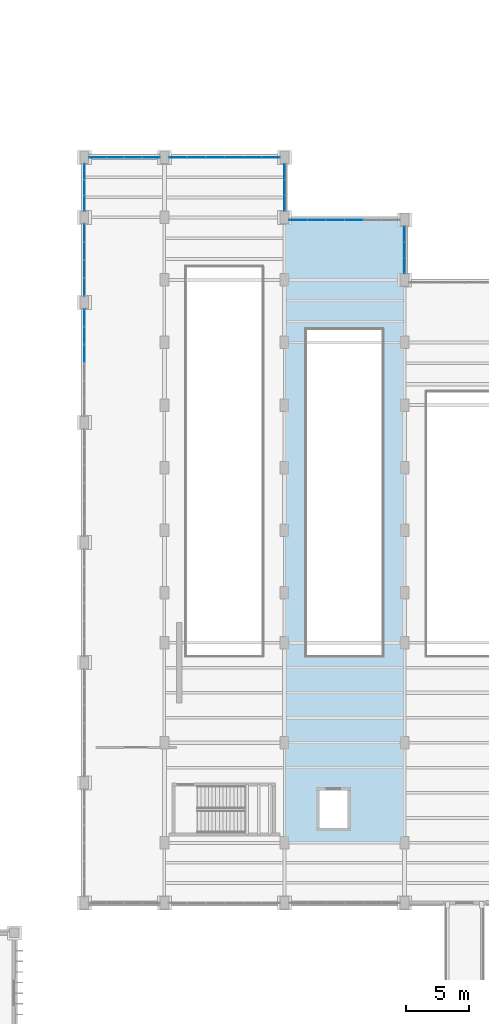
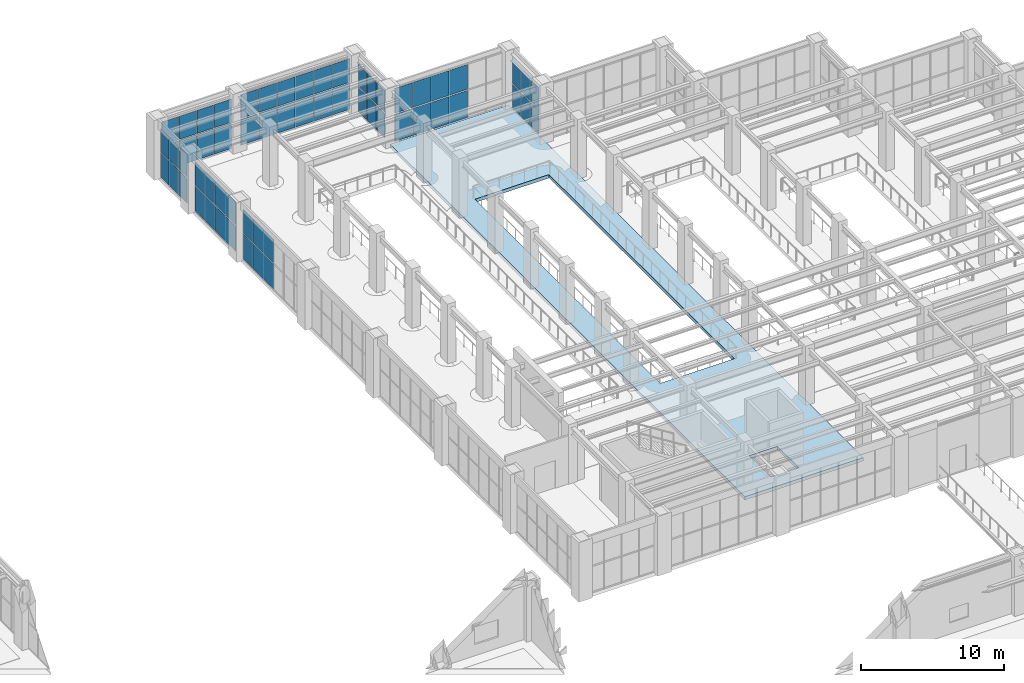
# One storey, part 134 of 174: 60 plates, 1 slab, 8 elements without a shape of their own.
"""IFC4 building model written with IfcOpenShell, lengths in metres."""

from ifc_helpers import new_model, si_unit, direction, frame, origin, origin_2d, place, context, subcontext, project, spatial, polyline, rectangle, outline, extrude, material, layer, layer_set, type_object, element, aggregate, save


model = new_model("IFC4")

# Units and contexts
model_context = context("Model", 3, precision=1e-05, world=origin(), true_north=direction((0.0, 1.0)))
body_context = subcontext(model_context, "Body", "Model", "MODEL_VIEW")
ifc_project = project(units=[si_unit("LENGTHUNIT", "METRE"), si_unit("AREAUNIT", "SQUARE_METRE"), si_unit("VOLUMEUNIT", "CUBIC_METRE"), si_unit("PLANEANGLEUNIT", "RADIAN"), si_unit("MASSUNIT", "GRAM", prefix="KILO")], contexts=[model_context])

# Site, building, storey
site_placement = place(None, origin())
site = spatial("IfcSite", under=ifc_project, at=site_placement, CompositionType="ELEMENT")
building_placement = place(site_placement, origin())
building = spatial("IfcBuilding", under=site, at=building_placement, Name="Mavantir Sound Aquarium", CompositionType="ELEMENT")
storey_placement = place(building_placement, frame((0.0, 0.0, 5.39990234375)))
storey = spatial("IfcBuildingStorey", under=building, at=storey_placement, Name="L01", CompositionType="ELEMENT", Elevation=5.39990234375)

# Curtain wall, plates
ifc_material_1 = material(Name="Anodised Marine Aluminium and Low-E Glass", Category="aluminium")
curtain_wall_type_1 = type_object("IfcCurtainWallType", Name="CW-T13", PredefinedType="USERDEFINED", material=ifc_material_1)
curtain_wall_1_placement = place(storey_placement, origin())
curtain_wall_1 = element("IfcCurtainWall", 1, at=curtain_wall_1_placement, inside=storey, type_object=curtain_wall_type_1, Name="L01 unitised curtain wall CW-13 85", ObjectType="UNITISED GLAZING", PredefinedType="USERDEFINED")
ifc_material_2 = material(Name="Solar-Control Laminated Low-E Glass", Category="glass")
ifc_layer_1 = layer(ifc_material_2, 0.028076171875, Name="Solar-Control Laminated Low-E Glass")
ifc_layer_set_1 = layer_set([ifc_layer_1], Name="Solar-Control Laminated Low-E Glass")
plate_type_1 = type_object("IfcPlateType", Name="CW-PNL-28", PredefinedType="CURTAIN_PANEL", material=ifc_layer_set_1)
plate_1_placement = place(storey_placement, frame((127.199951171875, 86.938720703125, 0.10302734375), z_axis=(0.0, 0.0, 1.0), x_axis=(0.0, 1.0, 0.0)))
plate_1 = element("IfcPlate", 2, at=plate_1_placement, type_object=plate_type_1, Name="CW-L01-085 glazed curtain panel 1.1", PredefinedType="CURTAIN_PANEL", context=body_context, shape_type="SweptSolid", body=[
    extrude(rectangle(XDim=1.21337890625, YDim=0.028076171875, at=origin_2d()), origin(), (0.0, 0.0, 1.0), 1.999267578125),
])
plate_2_placement = place(storey_placement, frame((127.199951171875, 86.938720703125, 2.1982421875), z_axis=(0.0, 0.0, 1.0), x_axis=(0.0, 1.0, 0.0)))
plate_2 = element("IfcPlate", 3, at=plate_2_placement, type_object=plate_type_1, Name="CW-L01-085 glazed curtain panel 1.2", PredefinedType="CURTAIN_PANEL", context=body_context, shape_type="SweptSolid", body=[
    extrude(rectangle(XDim=1.21337890625, YDim=0.028076171875, at=origin_2d()), origin(), (0.0, 0.0, 1.0), 1.833740234375),
])
plate_3_placement = place(storey_placement, frame((127.199951171875, 88.199951171875, 0.10302734375), z_axis=(0.0, 0.0, 1.0), x_axis=(0.0, 1.0, 0.0)))
plate_3 = element("IfcPlate", 4, at=plate_3_placement, type_object=plate_type_1, Name="CW-L01-085 glazed curtain panel 2.1", PredefinedType="CURTAIN_PANEL", context=body_context, shape_type="SweptSolid", body=[
    extrude(rectangle(XDim=1.21337890625, YDim=0.028076171875, at=origin_2d()), origin(), (0.0, 0.0, 1.0), 1.999267578125),
])
plate_4_placement = place(storey_placement, frame((127.199951171875, 88.199951171875, 2.1982421875), z_axis=(0.0, 0.0, 1.0), x_axis=(0.0, 1.0, 0.0)))
plate_4 = element("IfcPlate", 5, at=plate_4_placement, type_object=plate_type_1, Name="CW-L01-085 glazed curtain panel 2.2", PredefinedType="CURTAIN_PANEL", context=body_context, shape_type="SweptSolid", body=[
    extrude(rectangle(XDim=1.21337890625, YDim=0.028076171875, at=origin_2d()), origin(), (0.0, 0.0, 1.0), 1.833740234375),
])
plate_5_placement = place(storey_placement, frame((127.199951171875, 89.461181640625, 0.10302734375), z_axis=(0.0, 0.0, 1.0), x_axis=(0.0, 1.0, 0.0)))
plate_5 = element("IfcPlate", 6, at=plate_5_placement, type_object=plate_type_1, Name="CW-L01-085 glazed curtain panel 3.1", PredefinedType="CURTAIN_PANEL", context=body_context, shape_type="SweptSolid", body=[
    extrude(rectangle(XDim=1.21337890625, YDim=0.028076171875, at=origin_2d()), origin(), (0.0, 0.0, 1.0), 1.999267578125),
])
plate_6_placement = place(storey_placement, frame((127.199951171875, 89.461181640625, 2.1982421875), z_axis=(0.0, 0.0, 1.0), x_axis=(0.0, 1.0, 0.0)))
plate_6 = element("IfcPlate", 7, at=plate_6_placement, type_object=plate_type_1, Name="CW-L01-085 glazed curtain panel 3.2", PredefinedType="CURTAIN_PANEL", context=body_context, shape_type="SweptSolid", body=[
    extrude(rectangle(XDim=1.21337890625, YDim=0.028076171875, at=origin_2d()), origin(), (0.0, 0.0, 1.0), 1.833740234375),
])
aggregate(curtain_wall_1, [plate_1, plate_2, plate_3, plate_4, plate_5, plate_6])

curtain_wall_type_2 = type_object("IfcCurtainWallType", Name="CW-T15", PredefinedType="USERDEFINED", material=ifc_material_1)
curtain_wall_2_placement = place(storey_placement, origin())
curtain_wall_2 = element("IfcCurtainWall", 8, at=curtain_wall_2_placement, inside=storey, type_object=curtain_wall_type_2, Name="L01 unitised curtain wall CW-15 87", ObjectType="UNITISED GLAZING", PredefinedType="USERDEFINED")
plate_7_placement = place(storey_placement, frame((117.60009765625, 91.938720703125, 0.10302734375), z_axis=(0.0, 0.0, 1.0), x_axis=(0.0, 1.0, 0.0)))
plate_7 = element("IfcPlate", 9, at=plate_7_placement, type_object=plate_type_1, Name="CW-L01-087 glazed curtain panel 1.1", PredefinedType="CURTAIN_PANEL", context=body_context, shape_type="SweptSolid", body=[
    extrude(rectangle(XDim=1.21337890625, YDim=0.028076171875, at=origin_2d()), origin(), (0.0, 0.0, 1.0), 2.072998046875),
])
plate_8_placement = place(storey_placement, frame((117.60009765625, 91.938720703125, 2.27197265625), z_axis=(0.0, 0.0, 1.0), x_axis=(0.0, 1.0, 0.0)))
plate_8 = element("IfcPlate", 10, at=plate_8_placement, type_object=plate_type_1, Name="CW-L01-087 glazed curtain panel 1.2", PredefinedType="CURTAIN_PANEL", context=body_context, shape_type="SweptSolid", body=[
    extrude(rectangle(XDim=1.21337890625, YDim=0.028076171875, at=origin_2d()), origin(), (0.0, 0.0, 1.0), 1.902099609375),
])
plate_9_placement = place(storey_placement, frame((117.60009765625, 93.199951171875, 0.10302734375), z_axis=(0.0, 0.0, 1.0), x_axis=(0.0, 1.0, 0.0)))
plate_9 = element("IfcPlate", 11, at=plate_9_placement, type_object=plate_type_1, Name="CW-L01-087 glazed curtain panel 2.1", PredefinedType="CURTAIN_PANEL", context=body_context, shape_type="SweptSolid", body=[
    extrude(rectangle(XDim=1.21337890625, YDim=0.028076171875, at=origin_2d()), origin(), (0.0, 0.0, 1.0), 2.072998046875),
])
plate_10_placement = place(storey_placement, frame((117.60009765625, 93.199951171875, 2.27197265625), z_axis=(0.0, 0.0, 1.0), x_axis=(0.0, 1.0, 0.0)))
plate_10 = element("IfcPlate", 12, at=plate_10_placement, type_object=plate_type_1, Name="CW-L01-087 glazed curtain panel 2.2", PredefinedType="CURTAIN_PANEL", context=body_context, shape_type="SweptSolid", body=[
    extrude(rectangle(XDim=1.21337890625, YDim=0.028076171875, at=origin_2d()), origin(), (0.0, 0.0, 1.0), 1.902099609375),
])
plate_11_placement = place(storey_placement, frame((117.60009765625, 94.461181640625, 0.10302734375), z_axis=(0.0, 0.0, 1.0), x_axis=(0.0, 1.0, 0.0)))
plate_11 = element("IfcPlate", 13, at=plate_11_placement, type_object=plate_type_1, Name="CW-L01-087 glazed curtain panel 3.1", PredefinedType="CURTAIN_PANEL", context=body_context, shape_type="SweptSolid", body=[
    extrude(rectangle(XDim=1.21337890625, YDim=0.028076171875, at=origin_2d()), origin(), (0.0, 0.0, 1.0), 2.072998046875),
])
plate_12_placement = place(storey_placement, frame((117.60009765625, 94.461181640625, 2.27197265625), z_axis=(0.0, 0.0, 1.0), x_axis=(0.0, 1.0, 0.0)))
plate_12 = element("IfcPlate", 14, at=plate_12_placement, type_object=plate_type_1, Name="CW-L01-087 glazed curtain panel 3.2", PredefinedType="CURTAIN_PANEL", context=body_context, shape_type="SweptSolid", body=[
    extrude(rectangle(XDim=1.21337890625, YDim=0.028076171875, at=origin_2d()), origin(), (0.0, 0.0, 1.0), 1.902099609375),
])
aggregate(curtain_wall_2, [plate_7, plate_8, plate_9, plate_10, plate_11, plate_12])

curtain_wall_type_3 = type_object("IfcCurtainWallType", Name="CW-T17", PredefinedType="USERDEFINED", material=ifc_material_1)
curtain_wall_3_placement = place(storey_placement, origin())
curtain_wall_3 = element("IfcCurtainWall", 15, at=curtain_wall_3_placement, inside=storey, type_object=curtain_wall_type_3, Name="L01 unitised curtain wall CW-17 89", ObjectType="UNITISED GLAZING", PredefinedType="USERDEFINED")
plate_13_placement = place(storey_placement, frame((106.931396484375, 95.60009765625, 0.10302734375), z_axis=(0.0, 0.0, 1.0), x_axis=(-1.0, 0.0, 0.0)))
plate_13 = element("IfcPlate", 16, at=plate_13_placement, type_object=plate_type_1, Name="CW-L01-089 glazed curtain panel 1.1", PredefinedType="CURTAIN_PANEL", context=body_context, shape_type="SweptSolid", body=[
    extrude(rectangle(XDim=1.373046875, YDim=0.028076171875, at=origin_2d()), origin(), (0.0, 0.0, 1.0), 2.15673828125),
])
plate_14_placement = place(storey_placement, frame((106.931396484375, 95.60009765625, 2.35595703125), z_axis=(0.0, 0.0, 1.0), x_axis=(-1.0, 0.0, 0.0)))
plate_14 = element("IfcPlate", 17, at=plate_14_placement, type_object=plate_type_1, Name="CW-L01-089 glazed curtain panel 1.2", PredefinedType="CURTAIN_PANEL", context=body_context, shape_type="SweptSolid", body=[
    extrude(rectangle(XDim=1.373046875, YDim=0.028076171875, at=origin_2d()), origin(), (0.0, 0.0, 1.0), 1.979248046875),
])
plate_15_placement = place(storey_placement, frame((105.510498046875, 95.60009765625, 0.10302734375), z_axis=(0.0, 0.0, 1.0), x_axis=(-1.0, 0.0, 0.0)))
plate_15 = element("IfcPlate", 18, at=plate_15_placement, type_object=plate_type_1, Name="CW-L01-089 glazed curtain panel 2.1", PredefinedType="CURTAIN_PANEL", context=body_context, shape_type="SweptSolid", body=[
    extrude(rectangle(XDim=1.373046875, YDim=0.028076171875, at=origin_2d()), origin(), (0.0, 0.0, 1.0), 2.15673828125),
])
plate_16_placement = place(storey_placement, frame((105.510498046875, 95.60009765625, 2.35595703125), z_axis=(0.0, 0.0, 1.0), x_axis=(-1.0, 0.0, 0.0)))
plate_16 = element("IfcPlate", 19, at=plate_16_placement, type_object=plate_type_1, Name="CW-L01-089 glazed curtain panel 2.2", PredefinedType="CURTAIN_PANEL", context=body_context, shape_type="SweptSolid", body=[
    extrude(rectangle(XDim=1.373046875, YDim=0.028076171875, at=origin_2d()), origin(), (0.0, 0.0, 1.0), 1.979248046875),
])
plate_17_placement = place(storey_placement, frame((104.089599609375, 95.60009765625, 0.10302734375), z_axis=(0.0, 0.0, 1.0), x_axis=(-1.0, 0.0, 0.0)))
plate_17 = element("IfcPlate", 20, at=plate_17_placement, type_object=plate_type_1, Name="CW-L01-089 glazed curtain panel 3.1", PredefinedType="CURTAIN_PANEL", context=body_context, shape_type="SweptSolid", body=[
    extrude(rectangle(XDim=1.373046875, YDim=0.028076171875, at=origin_2d()), origin(), (0.0, 0.0, 1.0), 2.15673828125),
])
plate_18_placement = place(storey_placement, frame((104.089599609375, 95.60009765625, 2.35595703125), z_axis=(0.0, 0.0, 1.0), x_axis=(-1.0, 0.0, 0.0)))
plate_18 = element("IfcPlate", 21, at=plate_18_placement, type_object=plate_type_1, Name="CW-L01-089 glazed curtain panel 3.2", PredefinedType="CURTAIN_PANEL", context=body_context, shape_type="SweptSolid", body=[
    extrude(rectangle(XDim=1.373046875, YDim=0.028076171875, at=origin_2d()), origin(), (0.0, 0.0, 1.0), 1.979248046875),
])
plate_19_placement = place(storey_placement, frame((102.66845703125, 95.60009765625, 0.10302734375), z_axis=(0.0, 0.0, 1.0), x_axis=(-1.0, 0.0, 0.0)))
plate_19 = element("IfcPlate", 22, at=plate_19_placement, type_object=plate_type_1, Name="CW-L01-089 glazed curtain panel 4.1", PredefinedType="CURTAIN_PANEL", context=body_context, shape_type="SweptSolid", body=[
    extrude(rectangle(XDim=1.373046875, YDim=0.028076171875, at=origin_2d()), origin(), (0.0, 0.0, 1.0), 2.15673828125),
])
plate_20_placement = place(storey_placement, frame((102.66845703125, 95.60009765625, 2.35595703125), z_axis=(0.0, 0.0, 1.0), x_axis=(-1.0, 0.0, 0.0)))
plate_20 = element("IfcPlate", 23, at=plate_20_placement, type_object=plate_type_1, Name="CW-L01-089 glazed curtain panel 4.2", PredefinedType="CURTAIN_PANEL", context=body_context, shape_type="SweptSolid", body=[
    extrude(rectangle(XDim=1.373046875, YDim=0.028076171875, at=origin_2d()), origin(), (0.0, 0.0, 1.0), 1.979248046875),
])
aggregate(curtain_wall_3, [plate_13, plate_14, plate_15, plate_16, plate_17, plate_18, plate_19, plate_20])

curtain_wall_type_4 = type_object("IfcCurtainWallType", Name="CW-T19", PredefinedType="USERDEFINED", material=ifc_material_1)
curtain_wall_4_placement = place(storey_placement, origin())
curtain_wall_4 = element("IfcCurtainWall", 24, at=curtain_wall_4_placement, inside=storey, type_object=curtain_wall_type_4, Name="L01 unitised curtain wall CW-19 91", ObjectType="UNITISED GLAZING", PredefinedType="USERDEFINED")
plate_21_placement = place(storey_placement, frame((101.60009765625, 89.569091796875, 0.10302734375), z_axis=(0.0, 0.0, 1.0), x_axis=(0.0, -1.0, 0.0)))
plate_21 = element("IfcPlate", 25, at=plate_21_placement, type_object=plate_type_1, Name="CW-L01-091 glazed curtain panel 1.1", PredefinedType="CURTAIN_PANEL", context=body_context, shape_type="SweptSolid", body=[
    extrude(rectangle(XDim=1.39794921875, YDim=0.028076171875, at=origin_2d()), origin(), (0.0, 0.0, 1.0), 2.160888671875),
])
plate_22_placement = place(storey_placement, frame((101.60009765625, 89.569091796875, 2.35986328125), z_axis=(0.0, 0.0, 1.0), x_axis=(0.0, -1.0, 0.0)))
plate_22 = element("IfcPlate", 26, at=plate_22_placement, type_object=plate_type_1, Name="CW-L01-091 glazed curtain panel 1.2", PredefinedType="CURTAIN_PANEL", context=body_context, shape_type="SweptSolid", body=[
    extrude(rectangle(XDim=1.39794921875, YDim=0.028076171875, at=origin_2d()), origin(), (0.0, 0.0, 1.0), 1.983154296875),
])
plate_23_placement = place(storey_placement, frame((101.60009765625, 88.123046875, 0.10302734375), z_axis=(0.0, 0.0, 1.0), x_axis=(0.0, -1.0, 0.0)))
plate_23 = element("IfcPlate", 27, at=plate_23_placement, type_object=plate_type_1, Name="CW-L01-091 glazed curtain panel 2.1", PredefinedType="CURTAIN_PANEL", context=body_context, shape_type="SweptSolid", body=[
    extrude(rectangle(XDim=1.39794921875, YDim=0.028076171875, at=origin_2d()), origin(), (0.0, 0.0, 1.0), 2.160888671875),
])
plate_24_placement = place(storey_placement, frame((101.60009765625, 88.123046875, 2.35986328125), z_axis=(0.0, 0.0, 1.0), x_axis=(0.0, -1.0, 0.0)))
plate_24 = element("IfcPlate", 28, at=plate_24_placement, type_object=plate_type_1, Name="CW-L01-091 glazed curtain panel 2.2", PredefinedType="CURTAIN_PANEL", context=body_context, shape_type="SweptSolid", body=[
    extrude(rectangle(XDim=1.39794921875, YDim=0.028076171875, at=origin_2d()), origin(), (0.0, 0.0, 1.0), 1.983154296875),
])
plate_25_placement = place(storey_placement, frame((101.60009765625, 86.677001953125, 0.10302734375), z_axis=(0.0, 0.0, 1.0), x_axis=(0.0, -1.0, 0.0)))
plate_25 = element("IfcPlate", 29, at=plate_25_placement, type_object=plate_type_1, Name="CW-L01-091 glazed curtain panel 3.1", PredefinedType="CURTAIN_PANEL", context=body_context, shape_type="SweptSolid", body=[
    extrude(rectangle(XDim=1.39794921875, YDim=0.028076171875, at=origin_2d()), origin(), (0.0, 0.0, 1.0), 2.160888671875),
])
plate_26_placement = place(storey_placement, frame((101.60009765625, 86.677001953125, 2.35986328125), z_axis=(0.0, 0.0, 1.0), x_axis=(0.0, -1.0, 0.0)))
plate_26 = element("IfcPlate", 30, at=plate_26_placement, type_object=plate_type_1, Name="CW-L01-091 glazed curtain panel 3.2", PredefinedType="CURTAIN_PANEL", context=body_context, shape_type="SweptSolid", body=[
    extrude(rectangle(XDim=1.39794921875, YDim=0.028076171875, at=origin_2d()), origin(), (0.0, 0.0, 1.0), 1.983154296875),
])
plate_27_placement = place(storey_placement, frame((101.60009765625, 85.23095703125, 0.10302734375), z_axis=(0.0, 0.0, 1.0), x_axis=(0.0, -1.0, 0.0)))
plate_27 = element("IfcPlate", 31, at=plate_27_placement, type_object=plate_type_1, Name="CW-L01-091 glazed curtain panel 4.1", PredefinedType="CURTAIN_PANEL", context=body_context, shape_type="SweptSolid", body=[
    extrude(rectangle(XDim=1.39794921875, YDim=0.028076171875, at=origin_2d()), origin(), (0.0, 0.0, 1.0), 2.160888671875),
])
plate_28_placement = place(storey_placement, frame((101.60009765625, 85.23095703125, 2.35986328125), z_axis=(0.0, 0.0, 1.0), x_axis=(0.0, -1.0, 0.0)))
plate_28 = element("IfcPlate", 32, at=plate_28_placement, type_object=plate_type_1, Name="CW-L01-091 glazed curtain panel 4.2", PredefinedType="CURTAIN_PANEL", context=body_context, shape_type="SweptSolid", body=[
    extrude(rectangle(XDim=1.39794921875, YDim=0.028076171875, at=origin_2d()), origin(), (0.0, 0.0, 1.0), 1.983154296875),
])
aggregate(curtain_wall_4, [plate_21, plate_22, plate_23, plate_24, plate_25, plate_26, plate_27, plate_28])

curtain_wall_type_5 = type_object("IfcCurtainWallType", Name="CW-T14", PredefinedType="USERDEFINED", material=ifc_material_1)
curtain_wall_5_placement = place(storey_placement, origin())
curtain_wall_5 = element("IfcCurtainWall", 33, at=curtain_wall_5_placement, inside=storey, type_object=curtain_wall_type_5, Name="L01 unitised curtain wall CW-14 86", ObjectType="UNITISED GLAZING", PredefinedType="USERDEFINED")
ifc_layer_2 = layer(ifc_material_2, 0.031982421875, Name="Solar-Control Laminated Low-E Glass")
ifc_layer_set_2 = layer_set([ifc_layer_2], Name="Solar-Control Laminated Low-E Glass")
plate_type_2 = type_object("IfcPlateType", Name="CW-PNL-32", PredefinedType="CURTAIN_PANEL", material=ifc_layer_set_2)
plate_29_placement = place(storey_placement, frame((123.140380859375, 90.60009765625, 0.10302734375), z_axis=(0.0, 0.0, 1.0), x_axis=(-1.0, 0.0, 0.0)))
plate_29 = element("IfcPlate", 34, at=plate_29_placement, type_object=plate_type_2, Name="CW-L01-086 glazed curtain panel 3.1", PredefinedType="CURTAIN_PANEL", context=body_context, shape_type="SweptSolid", body=[
    extrude(rectangle(XDim=1.4326171875, YDim=0.031982421875, at=origin_2d()), origin(), (0.0, 0.0, 1.0), 2.32421875),
])
plate_30_placement = place(storey_placement, frame((123.140380859375, 90.60009765625, 2.523193359375), z_axis=(0.0, 0.0, 1.0), x_axis=(-1.0, 0.0, 0.0)))
plate_30 = element("IfcPlate", 35, at=plate_30_placement, type_object=plate_type_2, Name="CW-L01-086 glazed curtain panel 3.2", PredefinedType="CURTAIN_PANEL", context=body_context, shape_type="SweptSolid", body=[
    extrude(rectangle(XDim=1.4326171875, YDim=0.031982421875, at=origin_2d()), origin(), (0.0, 0.0, 1.0), 2.1337890625),
])
plate_31_placement = place(storey_placement, frame((121.65966796875, 90.60009765625, 0.10302734375), z_axis=(0.0, 0.0, 1.0), x_axis=(-1.0, 0.0, 0.0)))
plate_31 = element("IfcPlate", 36, at=plate_31_placement, type_object=plate_type_2, Name="CW-L01-086 glazed curtain panel 4.1", PredefinedType="CURTAIN_PANEL", context=body_context, shape_type="SweptSolid", body=[
    extrude(rectangle(XDim=1.4326171875, YDim=0.031982421875, at=origin_2d()), origin(), (0.0, 0.0, 1.0), 2.32421875),
])
plate_32_placement = place(storey_placement, frame((121.65966796875, 90.60009765625, 2.523193359375), z_axis=(0.0, 0.0, 1.0), x_axis=(-1.0, 0.0, 0.0)))
plate_32 = element("IfcPlate", 37, at=plate_32_placement, type_object=plate_type_2, Name="CW-L01-086 glazed curtain panel 4.2", PredefinedType="CURTAIN_PANEL", context=body_context, shape_type="SweptSolid", body=[
    extrude(rectangle(XDim=1.4326171875, YDim=0.031982421875, at=origin_2d()), origin(), (0.0, 0.0, 1.0), 2.1337890625),
])
plate_33_placement = place(storey_placement, frame((120.178955078125, 90.60009765625, 0.10302734375), z_axis=(0.0, 0.0, 1.0), x_axis=(-1.0, 0.0, 0.0)))
plate_33 = element("IfcPlate", 38, at=plate_33_placement, type_object=plate_type_2, Name="CW-L01-086 glazed curtain panel 5.1", PredefinedType="CURTAIN_PANEL", context=body_context, shape_type="SweptSolid", body=[
    extrude(rectangle(XDim=1.4326171875, YDim=0.031982421875, at=origin_2d()), origin(), (0.0, 0.0, 1.0), 2.32421875),
])
plate_34_placement = place(storey_placement, frame((120.178955078125, 90.60009765625, 2.523193359375), z_axis=(0.0, 0.0, 1.0), x_axis=(-1.0, 0.0, 0.0)))
plate_34 = element("IfcPlate", 39, at=plate_34_placement, type_object=plate_type_2, Name="CW-L01-086 glazed curtain panel 5.2", PredefinedType="CURTAIN_PANEL", context=body_context, shape_type="SweptSolid", body=[
    extrude(rectangle(XDim=1.4326171875, YDim=0.031982421875, at=origin_2d()), origin(), (0.0, 0.0, 1.0), 2.1337890625),
])
plate_35_placement = place(storey_placement, frame((118.6982421875, 90.60009765625, 0.10302734375), z_axis=(0.0, 0.0, 1.0), x_axis=(-1.0, 0.0, 0.0)))
plate_35 = element("IfcPlate", 40, at=plate_35_placement, type_object=plate_type_2, Name="CW-L01-086 glazed curtain panel 6.1", PredefinedType="CURTAIN_PANEL", context=body_context, shape_type="SweptSolid", body=[
    extrude(rectangle(XDim=1.4326171875, YDim=0.031982421875, at=origin_2d()), origin(), (0.0, 0.0, 1.0), 2.32421875),
])
plate_36_placement = place(storey_placement, frame((118.6982421875, 90.60009765625, 2.523193359375), z_axis=(0.0, 0.0, 1.0), x_axis=(-1.0, 0.0, 0.0)))
plate_36 = element("IfcPlate", 41, at=plate_36_placement, type_object=plate_type_2, Name="CW-L01-086 glazed curtain panel 6.2", PredefinedType="CURTAIN_PANEL", context=body_context, shape_type="SweptSolid", body=[
    extrude(rectangle(XDim=1.4326171875, YDim=0.031982421875, at=origin_2d()), origin(), (0.0, 0.0, 1.0), 2.1337890625),
])
aggregate(curtain_wall_5, [plate_29, plate_30, plate_31, plate_32, plate_33, plate_34, plate_35, plate_36])

curtain_wall_type_6 = type_object("IfcCurtainWallType", Name="CW-T16", PredefinedType="USERDEFINED", material=ifc_material_1)
curtain_wall_6_placement = place(storey_placement, origin())
curtain_wall_6 = element("IfcCurtainWall", 42, at=curtain_wall_6_placement, inside=storey, type_object=curtain_wall_type_6, Name="L01 unitised curtain wall CW-16 88", ObjectType="UNITISED GLAZING", PredefinedType="USERDEFINED")
plate_37_placement = place(storey_placement, frame((116.501708984375, 95.60009765625, 0.10302734375), z_axis=(0.0, 0.0, 1.0), x_axis=(-1.0, 0.0, 0.0)))
plate_37 = element("IfcPlate", 43, at=plate_37_placement, type_object=plate_type_2, Name="CW-L01-088 glazed curtain panel 1.1", PredefinedType="CURTAIN_PANEL", context=body_context, shape_type="SweptSolid", body=[
    extrude(rectangle(XDim=1.4326171875, YDim=0.031982421875, at=origin_2d()), origin(), (0.0, 0.0, 1.0), 2.21142578125),
])
plate_38_placement = place(storey_placement, frame((116.501708984375, 95.60009765625, 2.41064453125), z_axis=(0.0, 0.0, 1.0), x_axis=(-1.0, 0.0, 0.0)))
plate_38 = element("IfcPlate", 44, at=plate_38_placement, type_object=plate_type_2, Name="CW-L01-088 glazed curtain panel 1.2", PredefinedType="CURTAIN_PANEL", context=body_context, shape_type="SweptSolid", body=[
    extrude(rectangle(XDim=1.4326171875, YDim=0.031982421875, at=origin_2d()), origin(), (0.0, 0.0, 1.0), 2.029541015625),
])
plate_39_placement = place(storey_placement, frame((115.02099609375, 95.60009765625, 0.10302734375), z_axis=(0.0, 0.0, 1.0), x_axis=(-1.0, 0.0, 0.0)))
plate_39 = element("IfcPlate", 45, at=plate_39_placement, type_object=plate_type_2, Name="CW-L01-088 glazed curtain panel 2.1", PredefinedType="CURTAIN_PANEL", context=body_context, shape_type="SweptSolid", body=[
    extrude(rectangle(XDim=1.4326171875, YDim=0.031982421875, at=origin_2d()), origin(), (0.0, 0.0, 1.0), 2.21142578125),
])
plate_40_placement = place(storey_placement, frame((115.02099609375, 95.60009765625, 2.41064453125), z_axis=(0.0, 0.0, 1.0), x_axis=(-1.0, 0.0, 0.0)))
plate_40 = element("IfcPlate", 46, at=plate_40_placement, type_object=plate_type_2, Name="CW-L01-088 glazed curtain panel 2.2", PredefinedType="CURTAIN_PANEL", context=body_context, shape_type="SweptSolid", body=[
    extrude(rectangle(XDim=1.4326171875, YDim=0.031982421875, at=origin_2d()), origin(), (0.0, 0.0, 1.0), 2.029541015625),
])
plate_41_placement = place(storey_placement, frame((113.540283203125, 95.60009765625, 0.10302734375), z_axis=(0.0, 0.0, 1.0), x_axis=(-1.0, 0.0, 0.0)))
plate_41 = element("IfcPlate", 47, at=plate_41_placement, type_object=plate_type_2, Name="CW-L01-088 glazed curtain panel 3.1", PredefinedType="CURTAIN_PANEL", context=body_context, shape_type="SweptSolid", body=[
    extrude(rectangle(XDim=1.4326171875, YDim=0.031982421875, at=origin_2d()), origin(), (0.0, 0.0, 1.0), 2.21142578125),
])
plate_42_placement = place(storey_placement, frame((113.540283203125, 95.60009765625, 2.41064453125), z_axis=(0.0, 0.0, 1.0), x_axis=(-1.0, 0.0, 0.0)))
plate_42 = element("IfcPlate", 48, at=plate_42_placement, type_object=plate_type_2, Name="CW-L01-088 glazed curtain panel 3.2", PredefinedType="CURTAIN_PANEL", context=body_context, shape_type="SweptSolid", body=[
    extrude(rectangle(XDim=1.4326171875, YDim=0.031982421875, at=origin_2d()), origin(), (0.0, 0.0, 1.0), 2.029541015625),
])
plate_43_placement = place(storey_placement, frame((112.059814453125, 95.60009765625, 0.10302734375), z_axis=(0.0, 0.0, 1.0), x_axis=(-1.0, 0.0, 0.0)))
plate_43 = element("IfcPlate", 49, at=plate_43_placement, type_object=plate_type_2, Name="CW-L01-088 glazed curtain panel 4.1", PredefinedType="CURTAIN_PANEL", context=body_context, shape_type="SweptSolid", body=[
    extrude(rectangle(XDim=1.4326171875, YDim=0.031982421875, at=origin_2d()), origin(), (0.0, 0.0, 1.0), 2.21142578125),
])
plate_44_placement = place(storey_placement, frame((112.059814453125, 95.60009765625, 2.41064453125), z_axis=(0.0, 0.0, 1.0), x_axis=(-1.0, 0.0, 0.0)))
plate_44 = element("IfcPlate", 50, at=plate_44_placement, type_object=plate_type_2, Name="CW-L01-088 glazed curtain panel 4.2", PredefinedType="CURTAIN_PANEL", context=body_context, shape_type="SweptSolid", body=[
    extrude(rectangle(XDim=1.4326171875, YDim=0.031982421875, at=origin_2d()), origin(), (0.0, 0.0, 1.0), 2.029541015625),
])
plate_45_placement = place(storey_placement, frame((110.5791015625, 95.60009765625, 0.10302734375), z_axis=(0.0, 0.0, 1.0), x_axis=(-1.0, 0.0, 0.0)))
plate_45 = element("IfcPlate", 51, at=plate_45_placement, type_object=plate_type_2, Name="CW-L01-088 glazed curtain panel 5.1", PredefinedType="CURTAIN_PANEL", context=body_context, shape_type="SweptSolid", body=[
    extrude(rectangle(XDim=1.4326171875, YDim=0.031982421875, at=origin_2d()), origin(), (0.0, 0.0, 1.0), 2.21142578125),
])
plate_46_placement = place(storey_placement, frame((110.5791015625, 95.60009765625, 2.41064453125), z_axis=(0.0, 0.0, 1.0), x_axis=(-1.0, 0.0, 0.0)))
plate_46 = element("IfcPlate", 52, at=plate_46_placement, type_object=plate_type_2, Name="CW-L01-088 glazed curtain panel 5.2", PredefinedType="CURTAIN_PANEL", context=body_context, shape_type="SweptSolid", body=[
    extrude(rectangle(XDim=1.4326171875, YDim=0.031982421875, at=origin_2d()), origin(), (0.0, 0.0, 1.0), 2.029541015625),
])
plate_47_placement = place(storey_placement, frame((109.098388671875, 95.60009765625, 0.10302734375), z_axis=(0.0, 0.0, 1.0), x_axis=(-1.0, 0.0, 0.0)))
plate_47 = element("IfcPlate", 53, at=plate_47_placement, type_object=plate_type_2, Name="CW-L01-088 glazed curtain panel 6.1", PredefinedType="CURTAIN_PANEL", context=body_context, shape_type="SweptSolid", body=[
    extrude(rectangle(XDim=1.4326171875, YDim=0.031982421875, at=origin_2d()), origin(), (0.0, 0.0, 1.0), 2.21142578125),
])
plate_48_placement = place(storey_placement, frame((109.098388671875, 95.60009765625, 2.41064453125), z_axis=(0.0, 0.0, 1.0), x_axis=(-1.0, 0.0, 0.0)))
plate_48 = element("IfcPlate", 54, at=plate_48_placement, type_object=plate_type_2, Name="CW-L01-088 glazed curtain panel 6.2", PredefinedType="CURTAIN_PANEL", context=body_context, shape_type="SweptSolid", body=[
    extrude(rectangle(XDim=1.4326171875, YDim=0.031982421875, at=origin_2d()), origin(), (0.0, 0.0, 1.0), 2.029541015625),
])
aggregate(curtain_wall_6, [plate_37, plate_38, plate_39, plate_40, plate_41, plate_42, plate_43, plate_44, plate_45, plate_46, plate_47, plate_48])

curtain_wall_type_7 = type_object("IfcCurtainWallType", Name="CW-T18", PredefinedType="USERDEFINED", material=ifc_material_1)
curtain_wall_7_placement = place(storey_placement, origin())
curtain_wall_7 = element("IfcCurtainWall", 55, at=curtain_wall_7_placement, inside=storey, type_object=curtain_wall_type_7, Name="L01 unitised curtain wall CW-18 90", ObjectType="UNITISED GLAZING", PredefinedType="USERDEFINED")
plate_49_placement = place(storey_placement, frame((101.60009765625, 94.461181640625, 0.10302734375), z_axis=(0.0, 0.0, 1.0), x_axis=(0.0, -1.0, 0.0)))
plate_49 = element("IfcPlate", 56, at=plate_49_placement, type_object=plate_type_2, Name="CW-L01-090 glazed curtain panel 1.1", PredefinedType="CURTAIN_PANEL", context=body_context, shape_type="SweptSolid", body=[
    extrude(rectangle(XDim=1.21337890625, YDim=0.031982421875, at=origin_2d()), origin(), (0.0, 0.0, 1.0), 2.10009765625),
])
plate_50_placement = place(storey_placement, frame((101.60009765625, 94.461181640625, 2.29931640625), z_axis=(0.0, 0.0, 1.0), x_axis=(0.0, -1.0, 0.0)))
plate_50 = element("IfcPlate", 57, at=plate_50_placement, type_object=plate_type_2, Name="CW-L01-090 glazed curtain panel 1.2", PredefinedType="CURTAIN_PANEL", context=body_context, shape_type="SweptSolid", body=[
    extrude(rectangle(XDim=1.21337890625, YDim=0.031982421875, at=origin_2d()), origin(), (0.0, 0.0, 1.0), 1.927001953125),
])
plate_51_placement = place(storey_placement, frame((101.60009765625, 93.199951171875, 0.10302734375), z_axis=(0.0, 0.0, 1.0), x_axis=(0.0, -1.0, 0.0)))
plate_51 = element("IfcPlate", 58, at=plate_51_placement, type_object=plate_type_2, Name="CW-L01-090 glazed curtain panel 2.1", PredefinedType="CURTAIN_PANEL", context=body_context, shape_type="SweptSolid", body=[
    extrude(rectangle(XDim=1.21337890625, YDim=0.031982421875, at=origin_2d()), origin(), (0.0, 0.0, 1.0), 2.10009765625),
])
plate_52_placement = place(storey_placement, frame((101.60009765625, 93.199951171875, 2.29931640625), z_axis=(0.0, 0.0, 1.0), x_axis=(0.0, -1.0, 0.0)))
plate_52 = element("IfcPlate", 59, at=plate_52_placement, type_object=plate_type_2, Name="CW-L01-090 glazed curtain panel 2.2", PredefinedType="CURTAIN_PANEL", context=body_context, shape_type="SweptSolid", body=[
    extrude(rectangle(XDim=1.21337890625, YDim=0.031982421875, at=origin_2d()), origin(), (0.0, 0.0, 1.0), 1.927001953125),
])
plate_53_placement = place(storey_placement, frame((101.60009765625, 91.938720703125, 0.10302734375), z_axis=(0.0, 0.0, 1.0), x_axis=(0.0, -1.0, 0.0)))
plate_53 = element("IfcPlate", 60, at=plate_53_placement, type_object=plate_type_2, Name="CW-L01-090 glazed curtain panel 3.1", PredefinedType="CURTAIN_PANEL", context=body_context, shape_type="SweptSolid", body=[
    extrude(rectangle(XDim=1.21337890625, YDim=0.031982421875, at=origin_2d()), origin(), (0.0, 0.0, 1.0), 2.10009765625),
])
plate_54_placement = place(storey_placement, frame((101.60009765625, 91.938720703125, 2.29931640625), z_axis=(0.0, 0.0, 1.0), x_axis=(0.0, -1.0, 0.0)))
plate_54 = element("IfcPlate", 61, at=plate_54_placement, type_object=plate_type_2, Name="CW-L01-090 glazed curtain panel 3.2", PredefinedType="CURTAIN_PANEL", context=body_context, shape_type="SweptSolid", body=[
    extrude(rectangle(XDim=1.21337890625, YDim=0.031982421875, at=origin_2d()), origin(), (0.0, 0.0, 1.0), 1.927001953125),
])
aggregate(curtain_wall_7, [plate_49, plate_50, plate_51, plate_52, plate_53, plate_54])

curtain_wall_type_8 = type_object("IfcCurtainWallType", Name="CW-T20", PredefinedType="USERDEFINED", material=ifc_material_1)
curtain_wall_8_placement = place(storey_placement, origin())
curtain_wall_8 = element("IfcCurtainWall", 62, at=curtain_wall_8_placement, inside=storey, type_object=curtain_wall_type_8, Name="L01 unitised curtain wall CW-20 92", ObjectType="UNITISED GLAZING", PredefinedType="USERDEFINED")
plate_55_placement = place(storey_placement, frame((101.60009765625, 82.776611328125, 0.10302734375), z_axis=(0.0, 0.0, 1.0), x_axis=(0.0, -1.0, 0.0)))
plate_55 = element("IfcPlate", 63, at=plate_55_placement, type_object=plate_type_2, Name="CW-L01-092 glazed curtain panel 1.1", PredefinedType="CURTAIN_PANEL", context=body_context, shape_type="SweptSolid", body=[
    extrude(rectangle(XDim=1.3828125, YDim=0.031982421875, at=origin_2d()), origin(), (0.0, 0.0, 1.0), 2.160888671875),
])
plate_56_placement = place(storey_placement, frame((101.60009765625, 82.776611328125, 2.35986328125), z_axis=(0.0, 0.0, 1.0), x_axis=(0.0, -1.0, 0.0)))
plate_56 = element("IfcPlate", 64, at=plate_56_placement, type_object=plate_type_2, Name="CW-L01-092 glazed curtain panel 1.2", PredefinedType="CURTAIN_PANEL", context=body_context, shape_type="SweptSolid", body=[
    extrude(rectangle(XDim=1.3828125, YDim=0.031982421875, at=origin_2d()), origin(), (0.0, 0.0, 1.0), 1.983154296875),
])
plate_57_placement = place(storey_placement, frame((101.60009765625, 81.345947265625, 0.10302734375), z_axis=(0.0, 0.0, 1.0), x_axis=(0.0, -1.0, 0.0)))
plate_57 = element("IfcPlate", 65, at=plate_57_placement, type_object=plate_type_2, Name="CW-L01-092 glazed curtain panel 2.1", PredefinedType="CURTAIN_PANEL", context=body_context, shape_type="SweptSolid", body=[
    extrude(rectangle(XDim=1.3828125, YDim=0.031982421875, at=origin_2d()), origin(), (0.0, 0.0, 1.0), 2.160888671875),
])
plate_58_placement = place(storey_placement, frame((101.60009765625, 81.345947265625, 2.35986328125), z_axis=(0.0, 0.0, 1.0), x_axis=(0.0, -1.0, 0.0)))
plate_58 = element("IfcPlate", 66, at=plate_58_placement, type_object=plate_type_2, Name="CW-L01-092 glazed curtain panel 2.2", PredefinedType="CURTAIN_PANEL", context=body_context, shape_type="SweptSolid", body=[
    extrude(rectangle(XDim=1.3828125, YDim=0.031982421875, at=origin_2d()), origin(), (0.0, 0.0, 1.0), 1.983154296875),
])
plate_59_placement = place(storey_placement, frame((101.60009765625, 79.915283203125, 0.10302734375), z_axis=(0.0, 0.0, 1.0), x_axis=(0.0, -1.0, 0.0)))
plate_59 = element("IfcPlate", 67, at=plate_59_placement, type_object=plate_type_2, Name="CW-L01-092 glazed curtain panel 3.1", PredefinedType="CURTAIN_PANEL", context=body_context, shape_type="SweptSolid", body=[
    extrude(rectangle(XDim=1.3828125, YDim=0.031982421875, at=origin_2d()), origin(), (0.0, 0.0, 1.0), 2.160888671875),
])
plate_60_placement = place(storey_placement, frame((101.60009765625, 79.915283203125, 2.35986328125), z_axis=(0.0, 0.0, 1.0), x_axis=(0.0, -1.0, 0.0)))
plate_60 = element("IfcPlate", 68, at=plate_60_placement, type_object=plate_type_2, Name="CW-L01-092 glazed curtain panel 3.2", PredefinedType="CURTAIN_PANEL", context=body_context, shape_type="SweptSolid", body=[
    extrude(rectangle(XDim=1.3828125, YDim=0.031982421875, at=origin_2d()), origin(), (0.0, 0.0, 1.0), 1.983154296875),
])
aggregate(curtain_wall_8, [plate_55, plate_56, plate_57, plate_58, plate_59, plate_60])

# Slab
ifc_material_3 = material(Name="Concrete C40/50", Category="concrete")
ifc_layer_3 = layer(ifc_material_3, 0.2900390625, Name="Concrete C40/50")
ifc_layer_set_3 = layer_set([ifc_layer_3], Name="Concrete C40/50")
slab_type = type_object("IfcSlabType", Name="SLB-FS-06", PredefinedType="FLOOR", material=ifc_layer_set_3)
slab_placement = place(storey_placement, frame((0.0, 0.0, -0.289794921875)))
element("IfcSlab", 69, at=slab_placement, inside=storey, type_object=slab_type, Name="L01 structural slab FS-06 (V4)", PredefinedType="FLOOR", context=body_context, shape_type="SweptSolid", body=[
    extrude(outline(polyline([(127.199951171875, 40.800048828125), (127.199951171875, 90.60009765625), (117.60009765625, 90.60009765625), (117.60009765625, 40.800048828125), (127.199951171875, 40.800048828125)]), holes=[polyline([(119.39990234375, 55.800048828125), (125.39990234375, 55.800048828125), (125.39990234375, 81.800048828125), (119.39990234375, 81.800048828125), (119.39990234375, 55.800048828125)]), polyline([(120.39990234375, 42.0), (122.64990234375, 42.0), (122.64990234375, 45.0), (120.39990234375, 45.0), (120.39990234375, 42.0)])]), origin(), (0.0, 0.0, 1.0), 0.289794921875),
])

save(model, "model.ifc")
